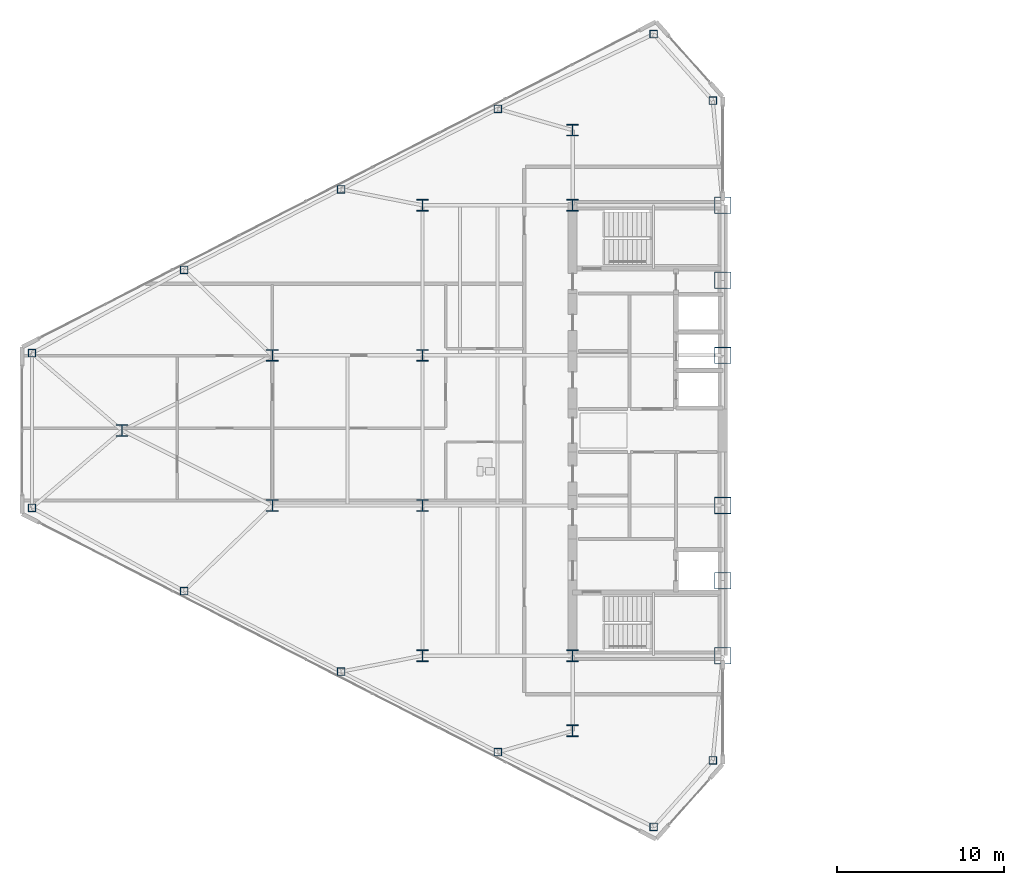
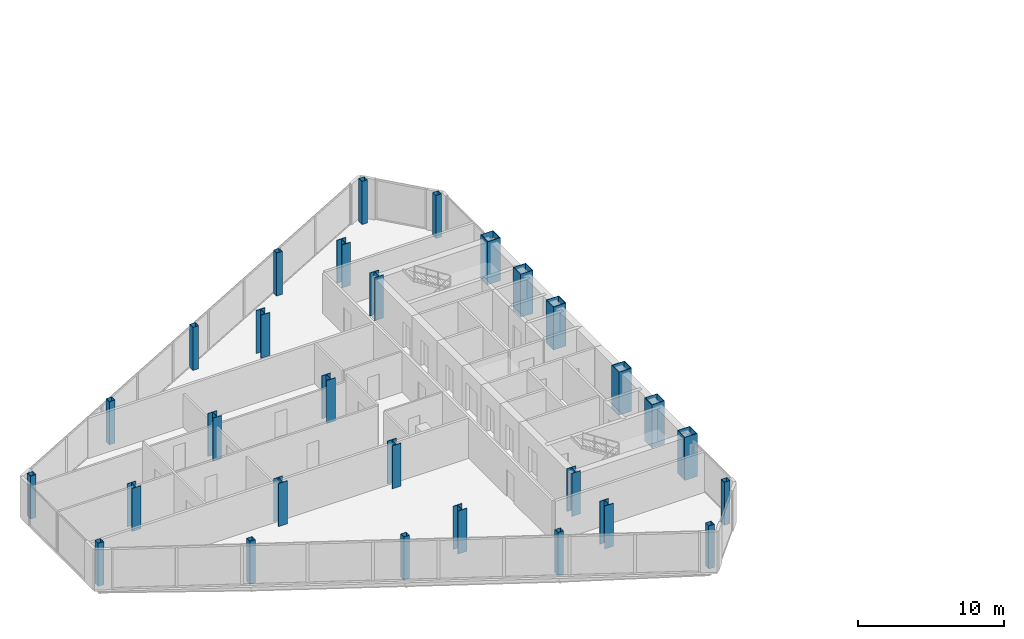
# One storey, part 1 of 22: 29 columns.
"""IFC4 building model written with IfcOpenShell, lengths in metres."""

from ifc_helpers import new_model, si_unit, direction, frame, origin, origin_2d, place, context, subcontext, project, spatial, hollow_rectangle, i_section, extrude, source, transform, mapped, material, material_profile, profile_set, type_object, type_shapes, element, save


model = new_model("IFC4")

# Units and contexts
model_context = context("Model", 3, precision=1e-05, world=origin(), true_north=direction((0.0, 1.0)))
body_context = subcontext(model_context, "Body", "Model", "MODEL_VIEW")
ifc_project = project(units=[si_unit("LENGTHUNIT", "METRE"), si_unit("AREAUNIT", "SQUARE_METRE"), si_unit("VOLUMEUNIT", "CUBIC_METRE"), si_unit("PLANEANGLEUNIT", "RADIAN"), si_unit("MASSUNIT", "GRAM", prefix="KILO")], contexts=[model_context])

# Site, building, storey
site_placement = place(None, origin())
site = spatial("IfcSite", under=ifc_project, at=site_placement, CompositionType="ELEMENT")
building_placement = place(site_placement, origin())
building = spatial("IfcBuilding", under=site, at=building_placement, Name="Seokmaru Belvedere", CompositionType="ELEMENT")
storey_placement = place(building_placement, frame((0.0, 0.0, 151.199951171875)))
storey = spatial("IfcBuildingStorey", under=building, at=storey_placement, Name="L40", CompositionType="ELEMENT", Elevation=151.199951171875)

# Columns
ifc_material_1 = material(Name="Steel HSA650 (650 MPa)", Category="steel")
ifc_material_profile_1 = material_profile(ifc_material_1, hollow_rectangle(XDim=1.0, YDim=1.0, WallThickness=0.0419921875, at=origin_2d()), Name="BOX-1000x1000x42")
ifc_profile_set_1 = profile_set([ifc_material_profile_1], Name="Steel HSA650 (650 MPa)")
column_type_1 = type_object("IfcColumnType", Name="Portal Spine Column BOX-1000", PredefinedType="COLUMN", material=ifc_profile_set_1)
shared_shape_1 = source(origin(), body_context, "Body", "SweptSolid", [
    extrude(hollow_rectangle(XDim=1.0, YDim=1.0, WallThickness=0.0419921875, at=origin_2d()), origin(), (0.0, 0.0, 1.0), 3.60009765625),
])
type_shapes(column_type_1, [shared_shape_1])
for number, where, z_axis, x_axis, name in (
    (1, (-27.5, -13.5, 0.0), (0.0, 0.0, 1.0), (1.0, 0.0, 0.0), "L40 Column WS1"),
    (2, (-27.5, -9.0, 0.0), (0.0, 0.0, 1.0), (1.0, 0.0, 0.0), "L40 Column WS2"),
    (3, (-27.5, -4.5, 0.0), (0.0, 0.0, 1.0), (1.0, 0.0, 0.0), "L40 Column WS3"),
    (4, (-27.5, 4.5, 0.0), (0.0, 0.0, 1.0), (1.0, 0.0, 0.0), "L40 Column WS4"),
    (5, (-27.5, 9.0, 0.0), (0.0, 0.0, 1.0), (1.0, 0.0, 0.0), "L40 Column WS5"),
    (6, (-27.5, 13.5, 0.0), (0.0, 0.0, 1.0), (1.0, 0.0, 0.0), "L40 Column WS6"),
):
    element("IfcColumn", number, at=place(storey_placement, frame(where, z_axis=z_axis, x_axis=x_axis)), inside=storey, type_object=column_type_1, Name=name, PredefinedType="COLUMN", context=body_context, shape_type="MappedRepresentation", body=[
        mapped(shared_shape_1, transform((0.0, 0.0, 0.0), scale=1.0)),
    ])
ifc_material_2 = material(Name="Steel SM355 (355 MPa)", Category="steel")
ifc_material_profile_2 = material_profile(ifc_material_2, i_section(OverallWidth=0.699951171875, OverallDepth=0.699951171875, WebThickness=0.028076171875, FlangeThickness=0.044921875, at=origin_2d()), Name="H-700x700x28x45")
ifc_profile_set_2 = profile_set([ifc_material_profile_2], Name="Steel SM355 (355 MPa)")
column_type_2 = type_object("IfcColumnType", Name="Mid Interior Column H-700", PredefinedType="COLUMN", material=ifc_profile_set_2)
shared_shape_2 = source(origin(), body_context, "Body", "SweptSolid", [
    extrude(i_section(OverallWidth=0.699951171875, OverallDepth=0.699951171875, WebThickness=0.028076171875, FlangeThickness=0.044921875, at=origin_2d()), origin(), (0.0, 0.0, 1.0), 3.60009765625),
])
type_shapes(column_type_2, [shared_shape_2])
for number, where, z_axis, x_axis, name in (
    (7, (-36.5, -18.0, 0.0), (0.0, 0.0, 1.0), (1.0, 0.0, 0.0), "L40 Column WC1"),
    (8, (-36.5, -13.5, 0.0), (0.0, 0.0, 1.0), (1.0, 0.0, 0.0), "L40 Column WC2"),
    (9, (-36.5, 13.5, 0.0), (0.0, 0.0, 1.0), (1.0, 0.0, 0.0), "L40 Column WC3"),
    (10, (-36.5, 18.0, 0.0), (0.0, 0.0, 1.0), (1.0, 0.0, 0.0), "L40 Column WC4"),
    (11, (-45.5, -13.5, 0.0), (0.0, 0.0, 1.0), (1.0, 0.0, 0.0), "L40 Column WG5_1"),
    (12, (-45.5, -4.5, 0.0), (0.0, 0.0, 1.0), (1.0, 0.0, 0.0), "L40 Column WG5_2"),
    (13, (-45.5, 4.5, 0.0), (0.0, 0.0, 1.0), (1.0, 0.0, 0.0), "L40 Column WG5_3"),
    (14, (-45.5, 13.5, 0.0), (0.0, 0.0, 1.0), (1.0, 0.0, 0.0), "L40 Column WG5_4"),
    (15, (-54.5, -4.5, 0.0), (0.0, 0.0, 1.0), (1.0, 0.0, 0.0), "L40 Column WG4P_1"),
    (16, (-54.5, 4.5, 0.0), (0.0, 0.0, 1.0), (1.0, 0.0, 0.0), "L40 Column WG4P_2"),
    (17, (-63.5, 0.0, 0.0), (0.0, 0.0, 1.0), (1.0, 0.0, 0.0), "L40 Column WG3P_1"),
):
    element("IfcColumn", number, at=place(storey_placement, frame(where, z_axis=z_axis, x_axis=x_axis)), inside=storey, type_object=column_type_2, Name=name, PredefinedType="COLUMN", context=body_context, shape_type="MappedRepresentation", body=[
        mapped(shared_shape_2, transform((0.0, 0.0, 0.0), scale=1.0)),
    ])
ifc_material_profile_3 = material_profile(ifc_material_2, hollow_rectangle(XDim=0.449951171875, YDim=0.449951171875, WallThickness=0.01806640625, at=origin_2d()), Name="HSS-450x450x18")
ifc_profile_set_3 = profile_set([ifc_material_profile_3], Name="Steel SM355 (355 MPa)")
column_type_3 = type_object("IfcColumnType", Name="Perimeter Facet Column HSS-450", PredefinedType="COLUMN", material=ifc_profile_set_3)
shared_shape_3 = source(origin(), body_context, "Body", "SweptSolid", [
    extrude(hollow_rectangle(XDim=0.449951171875, YDim=0.449951171875, WallThickness=0.01806640625, at=origin_2d()), origin(), (0.0, 0.0, 1.0), 3.60009765625),
])
type_shapes(column_type_3, [shared_shape_3])
for number, where, z_axis, x_axis, name in (
    (18, (-28.10009765625, -19.77197265625, 0.0), (0.0, 0.0, 1.0), (1.0, 0.0, 0.0), "L40 Column WF1"),
    (19, (-28.10009765625, 19.77197265625, 0.0), (0.0, 0.0, 1.0), (1.0, 0.0, 0.0), "L40 Column WF2"),
    (20, (-31.6396484375, 23.75390625, 0.0), (0.0, 0.0, 1.0), (1.0, 0.0, 0.0), "L40 Column WF3"),
    (21, (-68.89990234375, 4.633544921875, 0.0), (0.0, 0.0, 1.0), (1.0, 0.0, 0.0), "L40 Column WF4"),
    (22, (-68.89990234375, -4.633544921875, 0.0), (0.0, 0.0, 1.0), (1.0, 0.0, 0.0), "L40 Column WF5"),
    (23, (-31.6396484375, -23.75390625, 0.0), (0.0, 0.0, 1.0), (1.0, 0.0, 0.0), "L40 Column WF6"),
    (24, (-40.975830078125, -19.277587890625, 0.0), (0.0, 0.0, 1.0), (1.0, 0.0, 0.0), "L40 Column WFLK_S1"),
    (25, (-50.377197265625, -14.453369140625, 0.0), (0.0, 0.0, 1.0), (1.0, 0.0, 0.0), "L40 Column WFLK_S2"),
    (26, (-59.778564453125, -9.62890625, 0.0), (0.0, 0.0, 1.0), (1.0, 0.0, 0.0), "L40 Column WFLK_S3"),
    (27, (-40.975830078125, 19.277587890625, 0.0), (0.0, 0.0, 1.0), (1.0, 0.0, 0.0), "L40 Column WFLK_N1"),
    (28, (-50.377197265625, 14.453369140625, 0.0), (0.0, 0.0, 1.0), (1.0, 0.0, 0.0), "L40 Column WFLK_N2"),
    (29, (-59.778564453125, 9.62890625, 0.0), (0.0, 0.0, 1.0), (1.0, 0.0, 0.0), "L40 Column WFLK_N3"),
):
    element("IfcColumn", number, at=place(storey_placement, frame(where, z_axis=z_axis, x_axis=x_axis)), inside=storey, type_object=column_type_3, Name=name, PredefinedType="COLUMN", context=body_context, shape_type="MappedRepresentation", body=[
        mapped(shared_shape_3, transform((0.0, 0.0, 0.0), scale=1.0)),
    ])

save(model, "model.ifc")
